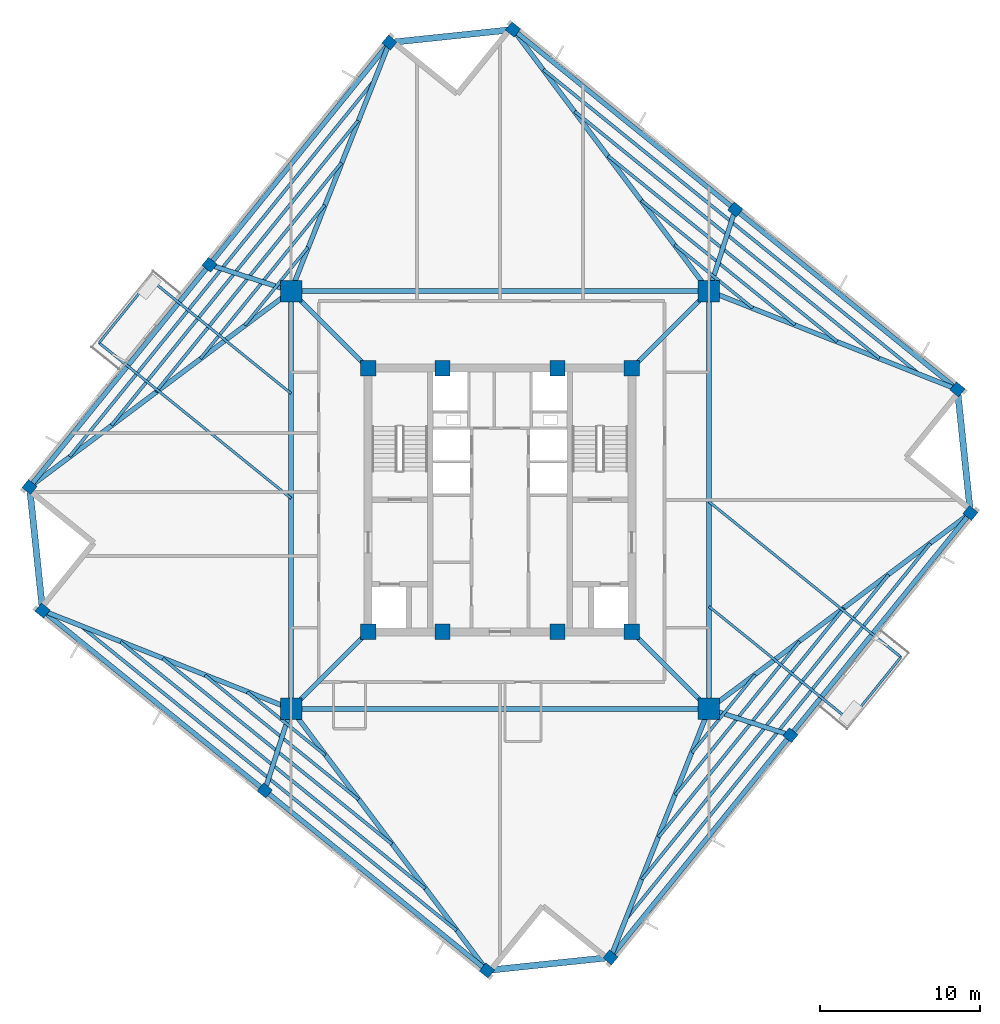
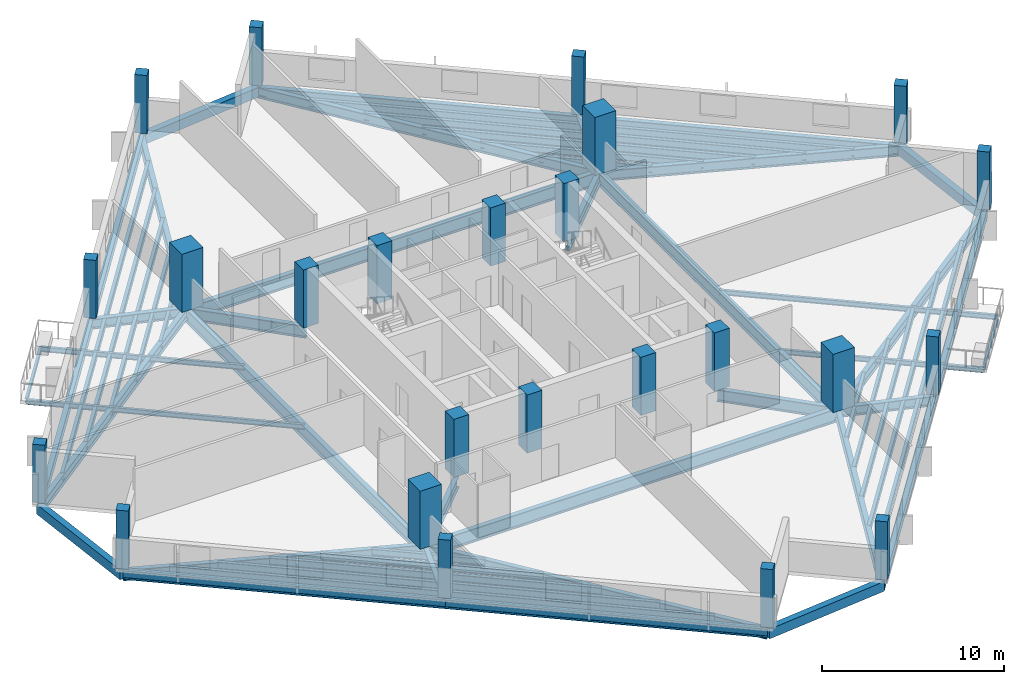
# One storey, part 1 of 9: 58 beams, 24 columns.
"""IFC4 building model written with IfcOpenShell, lengths in metres."""

from ifc_helpers import new_model, si_unit, direction, frame, origin, origin_2d, place, context, subcontext, project, spatial, rectangle, i_section, extrude, source, transform, mapped, material, material_profile, profile_set, type_object, element, save


model = new_model("IFC4")

# Units and contexts
model_context = context("Model", 3, precision=1e-05, world=origin(), true_north=direction((0.0, 1.0)))
body_context = subcontext(model_context, "Body", "Model", "MODEL_VIEW")
ifc_project = project(units=[si_unit("LENGTHUNIT", "METRE"), si_unit("AREAUNIT", "SQUARE_METRE"), si_unit("VOLUMEUNIT", "CUBIC_METRE"), si_unit("PLANEANGLEUNIT", "RADIAN"), si_unit("MASSUNIT", "GRAM", prefix="KILO"), si_unit("THERMODYNAMICTEMPERATUREUNIT", "KELVIN")], contexts=[model_context])

# Site, building, storey
site_placement = place(None, origin())
site = spatial("IfcSite", under=ifc_project, at=site_placement, CompositionType="ELEMENT")
building_placement = place(site_placement, origin())
building = spatial("IfcBuilding", under=site, at=building_placement, Name="Kosmvard Interchange Tower", CompositionType="ELEMENT")
storey_placement = place(building_placement, frame((0.0, 0.0, 256.300048828125)))
storey = spatial("IfcBuildingStorey", under=building, at=storey_placement, Name="L62", CompositionType="ELEMENT", Elevation=256.300048828125)

# Columns
ifc_material_1 = material(Name="Concrete C60/75", Category="concrete")
ifc_material_profile_1 = material_profile(ifc_material_1, rectangle(XDim=0.949951171875, YDim=0.949951171875, at=origin_2d()), Name="CP 950x950")
ifc_profile_set_1 = profile_set([ifc_material_profile_1], Name="Concrete C60/75")
column_type_1 = type_object("IfcColumnType", Name="Core Boundary Pilaster 950x950 C60/75", PredefinedType="PILASTER", material=ifc_profile_set_1)
shared_shape_1 = source(origin(), body_context, "Body", "SweptSolid", [
    extrude(rectangle(XDim=0.949951171875, YDim=0.949951171875, at=origin_2d()), origin(), (0.0, 0.0, 1.0), 3.89990234375),
])
for number, where, z_axis, x_axis, name in (
    (1, (-8.25, -8.25, 0.0), (0.0, 0.0, 1.0), (1.0, 0.0, 0.0), "L62 Core Pilaster CP1"),
    (2, (8.25, -8.25, 0.0), (0.0, 0.0, 1.0), (1.0, 0.0, 0.0), "L62 Core Pilaster CP2"),
    (3, (8.25, 8.25, 0.0), (0.0, 0.0, 1.0), (1.0, 0.0, 0.0), "L62 Core Pilaster CP3"),
    (4, (-8.25, 8.25, 0.0), (0.0, 0.0, 1.0), (1.0, 0.0, 0.0), "L62 Core Pilaster CP4"),
    (5, (-3.60009765625, -8.25, 0.0), (0.0, 0.0, 1.0), (1.0, 0.0, 0.0), "L62 Core Pilaster CP5"),
    (6, (3.60009765625, -8.25, 0.0), (0.0, 0.0, 1.0), (1.0, 0.0, 0.0), "L62 Core Pilaster CP6"),
    (7, (-3.60009765625, 8.25, 0.0), (0.0, 0.0, 1.0), (1.0, 0.0, 0.0), "L62 Core Pilaster CP7"),
    (8, (3.60009765625, 8.25, 0.0), (0.0, 0.0, 1.0), (1.0, 0.0, 0.0), "L62 Core Pilaster CP8"),
):
    element("IfcColumn", number, at=place(storey_placement, frame(where, z_axis=z_axis, x_axis=x_axis)), inside=storey, type_object=column_type_1, Name=name, PredefinedType="PILASTER", context=body_context, shape_type="MappedRepresentation", body=[
        mapped(shared_shape_1, transform((0.0, 0.0, 0.0), scale=1.0)),
    ])
ifc_material_profile_2 = material_profile(ifc_material_1, rectangle(XDim=1.35009765625, YDim=1.35009765625, at=origin_2d()), Name="MC 1350x1350")
ifc_profile_set_2 = profile_set([ifc_material_profile_2], Name="Concrete C60/75")
column_type_2 = type_object("IfcColumnType", Name="Composite Mega-Column 1350x1350 C60/75", PredefinedType="COLUMN", material=ifc_profile_set_2)
shared_shape_2 = source(origin(), body_context, "Body", "SweptSolid", [
    extrude(rectangle(XDim=1.35009765625, YDim=1.35009765625, at=origin_2d()), origin(), (0.0, 0.0, 1.0), 3.89990234375),
])
for number, where, z_axis, x_axis, name in (
    (9, (-13.0810546875, -13.0810546875, 0.0), (0.0, 0.0, 1.0), (1.0, 0.0, 0.0), "L62 Corner Mega-Column MC1"),
    (10, (13.0810546875, -13.0810546875, 0.0), (0.0, 0.0, 1.0), (1.0, 0.0, 0.0), "L62 Corner Mega-Column MC2"),
    (11, (13.0810546875, 13.0810546875, 0.0), (0.0, 0.0, 1.0), (1.0, 0.0, 0.0), "L62 Corner Mega-Column MC3"),
    (12, (-13.0810546875, 13.0810546875, 0.0), (0.0, 0.0, 1.0), (1.0, 0.0, 0.0), "L62 Corner Mega-Column MC4"),
):
    element("IfcColumn", number, at=place(storey_placement, frame(where, z_axis=z_axis, x_axis=x_axis)), inside=storey, type_object=column_type_2, Name=name, PredefinedType="COLUMN", context=body_context, shape_type="MappedRepresentation", body=[
        mapped(shared_shape_2, transform((0.0, 0.0, 0.0), scale=1.0)),
    ])
ifc_material_2 = material(Name="Concrete C50/60", Category="concrete")
ifc_material_profile_3 = material_profile(ifc_material_2, rectangle(XDim=0.64990234375, YDim=0.699951171875, at=origin_2d()), Name="TC 700x650")
ifc_profile_set_3 = profile_set([ifc_material_profile_3], Name="Concrete C50/60")
column_type_3 = type_object("IfcColumnType", Name="Zone 4 Perimeter Pier Column 700x650 C50/60", PredefinedType="COLUMN", material=ifc_profile_set_3)
shared_shape_3 = source(origin(), body_context, "Body", "SweptSolid", [
    extrude(rectangle(XDim=0.64990234375, YDim=0.699951171875, at=origin_2d()), origin(), (0.0, 0.0, 1.0), 3.89990234375),
])
for number, where, z_axis, x_axis, name in (
    (13, (6.92041015625, -28.636962890625, 0.0), (0.0, 0.0, 1.0), (0.62932039105, 0.777145961457, 0.0), "L62 Perimeter Pier Column TC-S1"),
    (14, (18.185302734375, -14.72607421875, 0.0), (0.0, 0.0, 1.0), (0.62932039105, 0.777145961457, 0.0), "L62 Perimeter Pier Column TC-S2"),
    (15, (29.449951171875, -0.815185546875, 0.0), (0.0, 0.0, 1.0), (0.62932039105, 0.777145961457, 0.0), "L62 Perimeter Pier Column TC-S3"),
    (16, (28.636962890625, 6.92041015625, 0.0), (0.0, 0.0, 1.0), (0.62932039105, 0.777145961457, 0.0), "L62 Perimeter Pier Column TC-E1"),
    (17, (14.72607421875, 18.185302734375, 0.0), (0.0, 0.0, 1.0), (0.62932039105, 0.777145961457, 0.0), "L62 Perimeter Pier Column TC-E2"),
    (18, (0.815185546875, 29.449951171875, 0.0), (0.0, 0.0, 1.0), (0.62932039105, 0.777145961457, 0.0), "L62 Perimeter Pier Column TC-E3"),
    (19, (-6.92041015625, 28.636962890625, 0.0), (0.0, 0.0, 1.0), (0.62932039105, 0.777145961457, 0.0), "L62 Perimeter Pier Column TC-N1"),
    (20, (-18.185302734375, 14.72607421875, 0.0), (0.0, 0.0, 1.0), (0.62932039105, 0.777145961457, 0.0), "L62 Perimeter Pier Column TC-N2"),
    (21, (-29.449951171875, 0.815185546875, 0.0), (0.0, 0.0, 1.0), (0.62932039105, 0.777145961457, 0.0), "L62 Perimeter Pier Column TC-N3"),
    (22, (-28.636962890625, -6.92041015625, 0.0), (0.0, 0.0, 1.0), (0.62932039105, 0.777145961457, 0.0), "L62 Perimeter Pier Column TC-W1"),
    (23, (-14.72607421875, -18.185302734375, 0.0), (0.0, 0.0, 1.0), (0.62932039105, 0.777145961457, 0.0), "L62 Perimeter Pier Column TC-W2"),
    (24, (-0.815185546875, -29.449951171875, 0.0), (0.0, 0.0, 1.0), (0.62932039105, 0.777145961457, 0.0), "L62 Perimeter Pier Column TC-W3"),
):
    element("IfcColumn", number, at=place(storey_placement, frame(where, z_axis=z_axis, x_axis=x_axis)), inside=storey, type_object=column_type_3, Name=name, PredefinedType="COLUMN", context=body_context, shape_type="MappedRepresentation", body=[
        mapped(shared_shape_3, transform((0.0, 0.0, 0.0), scale=1.0)),
    ])

# Beams
ifc_material_3 = material(Name="Steel S355", Category="steel")
ifc_material_profile_4 = material_profile(ifc_material_3, i_section(OverallWidth=0.14990234375, OverallDepth=0.300048828125, WebThickness=0.007080078125, FlangeThickness=0.0107421875, FilletRadius=0.014892578125, at=origin_2d()), Name="IPE 300")
ifc_profile_set_4 = profile_set([ifc_material_profile_4], Name="Steel S355")
beam_type_1 = type_object("IfcBeamType", Name="Balcony Edge Header Joist IPE 300 S355", PredefinedType="JOIST", material=ifc_profile_set_4)
shared_shape_4 = source(origin(), body_context, "Body", "SweptSolid", [
    extrude(i_section(OverallWidth=0.14990234375, OverallDepth=0.300048828125, WebThickness=0.007080078125, FlangeThickness=0.0107421875, FilletRadius=0.014892578125, at=origin_2d()), origin(), (0.0, 0.0, 1.0), 5.099853515625),
])
for number, where, z_axis, x_axis, name in (
    (25, (-21.89208984375, 13.80322265625, -0.39013671875), (-0.629319408179, -0.777146757369, 0.0), (0.777146757369, -0.629319408179, 0.0), "BM-L62-BJH1"),
    (26, (21.89208984375, -13.80322265625, -0.39013671875), (0.629319408179, 0.777146757369, 0.0), (-0.777146757369, 0.629319408179, 0.0), "BM-L62-BJH2"),
):
    element("IfcBeam", number, at=place(storey_placement, frame(where, z_axis=z_axis, x_axis=x_axis)), inside=storey, type_object=beam_type_1, Name=name, PredefinedType="JOIST", context=body_context, shape_type="MappedRepresentation", body=[
        mapped(shared_shape_4, transform((0.0, 0.0, 0.0), scale=1.0)),
    ])
ifc_material_profile_5 = material_profile(ifc_material_3, i_section(OverallWidth=0.300048828125, OverallDepth=0.800048828125, WebThickness=0.017578125, FlangeThickness=0.032958984375, FilletRadius=0.027099609375, at=origin_2d()), Name="HEB 800")
ifc_profile_set_5 = profile_set([ifc_material_profile_5], Name="Steel S355")
beam_type_2 = type_object("IfcBeamType", Name="Primary Mega-Frame Girder HEB 800 S355", PredefinedType="BEAM", material=ifc_profile_set_5)
shared_shape_5 = source(origin(), body_context, "Body", "SweptSolid", [
    extrude(i_section(OverallWidth=0.300048828125, OverallDepth=0.800048828125, WebThickness=0.017578125, FlangeThickness=0.032958984375, FilletRadius=0.027099609375, at=origin_2d()), origin(), (0.0, 0.0, 1.0), 6.83203125),
])
for number, where, z_axis, x_axis, name in (
    (27, (-8.25, -8.25, -0.64013671875), (-0.707106781187, -0.707106781187, 0.0), (0.707106781187, -0.707106781187, 0.0), "L62 Radial Mega-Frame Girder 1"),
    (28, (8.25, -8.25, -0.64013671875), (0.707106781187, -0.707106781187, 0.0), (0.707106781187, 0.707106781187, 0.0), "L62 Radial Mega-Frame Girder 2"),
    (29, (8.25, 8.25, -0.64013671875), (0.707106781187, 0.707106781187, 0.0), (-0.707106781187, 0.707106781187, 0.0), "L62 Radial Mega-Frame Girder 3"),
    (30, (-8.25, 8.25, -0.64013671875), (-0.707106781187, 0.707106781187, 0.0), (-0.707106781187, -0.707106781187, 0.0), "L62 Radial Mega-Frame Girder 4"),
):
    element("IfcBeam", number, at=place(storey_placement, frame(where, z_axis=z_axis, x_axis=x_axis)), inside=storey, type_object=beam_type_2, Name=name, PredefinedType="BEAM", context=body_context, shape_type="MappedRepresentation", body=[
        mapped(shared_shape_5, transform((0.0, 0.0, 0.0), scale=1.0)),
    ])
ifc_material_profile_6 = material_profile(ifc_material_3, i_section(OverallWidth=0.300048828125, OverallDepth=0.89990234375, WebThickness=0.0185546875, FlangeThickness=0.034912109375, FilletRadius=0.030029296875, at=origin_2d()), Name="HEB 900")
ifc_profile_set_6 = profile_set([ifc_material_profile_6], Name="Steel S355")
beam_type_3 = type_object("IfcBeamType", Name="Mega-Column Ring Girder HEB 900 S355", PredefinedType="BEAM", material=ifc_profile_set_6)
shared_shape_6 = source(origin(), body_context, "Body", "SweptSolid", [
    extrude(i_section(OverallWidth=0.300048828125, OverallDepth=0.89990234375, WebThickness=0.0185546875, FlangeThickness=0.034912109375, FilletRadius=0.030029296875, at=origin_2d()), origin(), (0.0, 0.0, 1.0), 26.162109375),
])
for number, where, z_axis, x_axis, name in (
    (31, (-13.0810546875, -13.0810546875, -0.68994140625), (1.0, 0.0, 0.0), (0.0, 1.0, 0.0), "L62 Mega-Column Ring Girder 1"),
    (32, (13.0810546875, -13.0810546875, -0.68994140625), (0.0, 1.0, 0.0), (-1.0, 0.0, 0.0), "L62 Mega-Column Ring Girder 2"),
    (33, (13.0810546875, 13.0810546875, -0.68994140625), (-1.0, 0.0, 0.0), (0.0, -1.0, 0.0), "L62 Mega-Column Ring Girder 3"),
    (34, (-13.0810546875, 13.0810546875, -0.68994140625), (0.0, -1.0, 0.0), (1.0, 0.0, 0.0), "L62 Mega-Column Ring Girder 4"),
):
    element("IfcBeam", number, at=place(storey_placement, frame(where, z_axis=z_axis, x_axis=x_axis)), inside=storey, type_object=beam_type_3, Name=name, PredefinedType="BEAM", context=body_context, shape_type="MappedRepresentation", body=[
        mapped(shared_shape_6, transform((0.0, 0.0, 0.0), scale=1.0)),
    ])
ifc_material_profile_7 = material_profile(ifc_material_3, i_section(OverallWidth=0.300048828125, OverallDepth=0.60009765625, WebThickness=0.015380859375, FlangeThickness=0.030029296875, FilletRadius=0.027099609375, at=origin_2d()), Name="HEB 600")
ifc_profile_set_7 = profile_set([ifc_material_profile_7], Name="Steel S355")
beam_type_4 = type_object("IfcBeamType", Name="Perimeter Tie Girder HEB 600 S355", PredefinedType="BEAM", material=ifc_profile_set_7)
shared_shape_7 = source(origin(), body_context, "Body", "SweptSolid", [
    extrude(i_section(OverallWidth=0.300048828125, OverallDepth=0.60009765625, WebThickness=0.015380859375, FlangeThickness=0.030029296875, FilletRadius=0.027099609375, at=origin_2d()), origin(), (0.0, 0.0, 1.0), 17.89990234375),
])
for number, where, z_axis, x_axis, name in (
    (35, (6.92041015625, -28.636962890625, -0.5400390625), (0.629322990554, 0.777143856413, 0.0), (-0.777143856413, 0.629322990554, 0.0), "BM-L62-PR01"),
    (36, (18.185302734375, -14.72607421875, -0.5400390625), (0.629314753061, 0.777150526976, 0.0), (-0.777150526976, 0.629314753061, 0.0), "BM-L62-PR02"),
    (37, (28.636962890625, 6.92041015625, -0.5400390625), (-0.777143856413, 0.629322990554, 0.0), (-0.629322990554, -0.777143856413, 0.0), "BM-L62-PR04"),
    (38, (14.72607421875, 18.185302734375, -0.5400390625), (-0.777150526976, 0.629314753061, 0.0), (-0.629314753061, -0.777150526976, 0.0), "BM-L62-PR05"),
    (39, (-6.92041015625, 28.636962890625, -0.5400390625), (-0.629322990554, -0.777143856413, 0.0), (0.777143856413, -0.629322990554, 0.0), "BM-L62-PR07"),
    (40, (-18.185302734375, 14.72607421875, -0.5400390625), (-0.629314753061, -0.777150526976, 0.0), (0.777150526976, -0.629314753061, 0.0), "BM-L62-PR08"),
    (41, (-28.636962890625, -6.92041015625, -0.5400390625), (0.777143856413, -0.629322990554, 0.0), (0.629322990554, 0.777143856413, 0.0), "BM-L62-PR10"),
    (42, (-14.72607421875, -18.185302734375, -0.5400390625), (0.777150526976, -0.629314753061, 0.0), (0.629314753061, 0.777150526976, 0.0), "BM-L62-PR11"),
):
    element("IfcBeam", number, at=place(storey_placement, frame(where, z_axis=z_axis, x_axis=x_axis)), inside=storey, type_object=beam_type_4, Name=name, PredefinedType="BEAM", context=body_context, shape_type="MappedRepresentation", body=[
        mapped(shared_shape_7, transform((0.0, 0.0, 0.0), scale=1.0)),
    ])
ifc_material_profile_8 = material_profile(ifc_material_3, i_section(OverallWidth=0.300048828125, OverallDepth=0.699951171875, WebThickness=0.01708984375, FlangeThickness=0.031982421875, FilletRadius=0.027099609375, at=origin_2d()), Name="HEB 700")
ifc_profile_set_8 = profile_set([ifc_material_profile_8], Name="Steel S355")
beam_type_5 = type_object("IfcBeamType", Name="Primary Floor Girder HEB 700 S355", PredefinedType="BEAM", material=ifc_profile_set_8)
shared_shape_8 = source(origin(), body_context, "Body", "SweptSolid", [
    extrude(i_section(OverallWidth=0.300048828125, OverallDepth=0.699951171875, WebThickness=0.01708984375, FlangeThickness=0.031982421875, FilletRadius=0.027099609375, at=origin_2d()), origin(), (0.0, 0.0, 1.0), 16.7314453125),
])
for number, where, z_axis, x_axis, name in (
    (43, (13.0810546875, -13.0810546875, -0.590087890625), (-0.368208500474, -0.929743244223, 0.0), (0.929743244223, -0.368208500474, 0.0), "BM-L62-RD01"),
    (44, (13.0810546875, 13.0810546875, -0.590087890625), (0.929743244223, -0.368208500474, 0.0), (0.368208500474, 0.929743244223, 0.0), "BM-L62-RD04"),
    (45, (-13.0810546875, 13.0810546875, -0.590087890625), (0.368208500474, 0.929743244223, 0.0), (-0.929743244223, 0.368208500474, 0.0), "BM-L62-RD07"),
    (46, (-13.0810546875, -13.0810546875, -0.590087890625), (-0.929743244223, 0.368208500474, 0.0), (-0.368208500474, -0.929743244223, 0.0), "BM-L62-RD10"),
):
    element("IfcBeam", number, at=place(storey_placement, frame(where, z_axis=z_axis, x_axis=x_axis)), inside=storey, type_object=beam_type_5, Name=name, PredefinedType="BEAM", context=body_context, shape_type="MappedRepresentation", body=[
        mapped(shared_shape_8, transform((0.0, 0.0, 0.0), scale=1.0)),
    ])
ifc_material_profile_9 = material_profile(ifc_material_3, i_section(OverallWidth=0.300048828125, OverallDepth=0.64990234375, WebThickness=0.01611328125, FlangeThickness=0.031005859375, FilletRadius=0.027099609375, at=origin_2d()), Name="HEB 650")
ifc_profile_set_9 = profile_set([ifc_material_profile_9], Name="Steel S355")
beam_type_6 = type_object("IfcBeamType", Name="Primary Floor Girder HEB 650 S355", PredefinedType="BEAM", material=ifc_profile_set_9)
shared_shape_9 = source(origin(), body_context, "Body", "SweptSolid", [
    extrude(i_section(OverallWidth=0.300048828125, OverallDepth=0.64990234375, WebThickness=0.01611328125, FlangeThickness=0.031005859375, FilletRadius=0.027099609375, at=origin_2d()), origin(), (0.0, 0.0, 1.0), 5.36279296875),
])
for number, where, z_axis, x_axis, name in (
    (47, (13.0810546875, -13.0810546875, -0.56494140625), (0.951790966135, -0.306747382686, 0.0), (0.306747382686, 0.951790966135, 0.0), "BM-L62-RD02"),
    (48, (13.0810546875, 13.0810546875, -0.56494140625), (0.306747382686, 0.951790966135, 0.0), (-0.951790966135, 0.306747382686, 0.0), "BM-L62-RD05"),
    (49, (-13.0810546875, 13.0810546875, -0.56494140625), (-0.951790966135, 0.306747382686, 0.0), (-0.306747382686, -0.951790966135, 0.0), "BM-L62-RD08"),
    (50, (-13.0810546875, -13.0810546875, -0.56494140625), (-0.306747382686, -0.951790966135, 0.0), (0.951790966135, -0.306747382686, 0.0), "BM-L62-RD11"),
):
    element("IfcBeam", number, at=place(storey_placement, frame(where, z_axis=z_axis, x_axis=x_axis)), inside=storey, type_object=beam_type_6, Name=name, PredefinedType="BEAM", context=body_context, shape_type="MappedRepresentation", body=[
        mapped(shared_shape_9, transform((0.0, 0.0, 0.0), scale=1.0)),
    ])
ifc_material_4 = material(Name="Precast concrete C45/55", Category="concrete")
ifc_material_profile_10 = material_profile(ifc_material_4, rectangle(XDim=0.39990234375, YDim=0.64990234375, at=origin_2d()), Name="SL 400x650")
ifc_profile_set_10 = profile_set([ifc_material_profile_10], Name="Precast concrete C45/55")
beam_type_7 = type_object("IfcBeamType", Name="Precast Spandrel Lintel 400x650 C45/55", PredefinedType="LINTEL", material=ifc_profile_set_10)
shared_shape_10 = source(origin(), body_context, "Body", "SweptSolid", [
    extrude(rectangle(XDim=0.39990234375, YDim=0.64990234375, at=origin_2d()), origin(), (0.0, 0.0, 1.0), 7.7783203125),
])
for number, where, z_axis, x_axis, name in (
    (51, (29.449951171875, -0.815185546875, -0.56494140625), (-0.104521394525, 0.994522638298, 0.0), (-0.994522638298, -0.104521394525, 0.0), "BM-L62-SL1"),
    (52, (0.815185546875, 29.449951171875, -0.56494140625), (-0.994522638298, -0.104521394525, 0.0), (0.104521394525, -0.994522638298, 0.0), "BM-L62-SL2"),
    (53, (-29.449951171875, 0.815185546875, -0.56494140625), (0.104521394525, -0.994522638298, 0.0), (0.994522638298, 0.104521394525, 0.0), "BM-L62-SL3"),
    (54, (-0.815185546875, -29.449951171875, -0.56494140625), (0.994522638298, 0.104521394525, 0.0), (-0.104521394525, 0.994522638298, 0.0), "BM-L62-SL4"),
):
    element("IfcBeam", number, at=place(storey_placement, frame(where, z_axis=z_axis, x_axis=x_axis)), inside=storey, type_object=beam_type_7, Name=name, PredefinedType="LINTEL", context=body_context, shape_type="MappedRepresentation", body=[
        mapped(shared_shape_10, transform((0.0, 0.0, 0.0), scale=1.0)),
    ])
shared_shape_11 = source(origin(), body_context, "Body", "SweptSolid", [
    extrude(i_section(OverallWidth=0.300048828125, OverallDepth=0.699951171875, WebThickness=0.01708984375, FlangeThickness=0.031982421875, FilletRadius=0.027099609375, at=origin_2d()), origin(), (0.0, 0.0, 1.0), 20.45458984375),
])
for number, where, z_axis, x_axis, name in (
    (55, (13.0810546875, -13.0810546875, -0.590087890625), (0.800253443036, 0.599661927179, 0.0), (-0.599661927179, 0.800253443036, 0.0), "BM-L62-RD03"),
    (56, (13.0810546875, 13.0810546875, -0.590087890625), (-0.599661927179, 0.800253443036, 0.0), (-0.800253443036, -0.599661927179, 0.0), "BM-L62-RD06"),
    (57, (-13.0810546875, 13.0810546875, -0.590087890625), (-0.800253443036, -0.599661927179, 0.0), (0.599661927179, -0.800253443036, 0.0), "BM-L62-RD09"),
    (58, (-13.0810546875, -13.0810546875, -0.590087890625), (0.599661927179, -0.800253443036, 0.0), (0.800253443036, 0.599661927179, 0.0), "BM-L62-RD12"),
):
    element("IfcBeam", number, at=place(storey_placement, frame(where, z_axis=z_axis, x_axis=x_axis)), inside=storey, type_object=beam_type_5, Name=name, PredefinedType="BEAM", context=body_context, shape_type="MappedRepresentation", body=[
        mapped(shared_shape_11, transform((0.0, 0.0, 0.0), scale=1.0)),
    ])
ifc_material_profile_11 = material_profile(ifc_material_3, i_section(OverallWidth=0.18994140625, OverallDepth=0.449951171875, WebThickness=0.009521484375, FlangeThickness=0.0146484375, FilletRadius=0.02099609375, at=origin_2d()), Name="IPE 450")
ifc_profile_set_11 = profile_set([ifc_material_profile_11], Name="Steel S355")
beam_type_8 = type_object("IfcBeamType", Name="Mid-Rise Floor Joist IPE 450 S355", PredefinedType="JOIST", material=ifc_profile_set_11)
shared_shape_12 = source(origin(), body_context, "Body", "SweptSolid", [
    extrude(i_section(OverallWidth=0.18994140625, OverallDepth=0.449951171875, WebThickness=0.009521484375, FlangeThickness=0.0146484375, FilletRadius=0.02099609375, at=origin_2d()), origin(), (0.0, 0.0, 1.0), 6.283935546875),
])
for number, where, z_axis, x_axis, name in (
    (59, (12.0224609375, -15.81884765625, -0.465087890625), (0.629317809561, 0.777148051898, 0.0), (-0.777148051898, 0.629317809561, 0.0), "BM-L62-FJ01"),
    (60, (15.81884765625, 12.0224609375, -0.465087890625), (-0.777148051898, 0.629317809561, 0.0), (-0.629317809561, -0.777148051898, 0.0), "BM-L62-FJ06"),
    (61, (-12.0224609375, 15.81884765625, -0.465087890625), (-0.629317809561, -0.777148051898, 0.0), (0.777148051898, -0.629317809561, 0.0), "BM-L62-FJ11"),
    (62, (-15.81884765625, -12.0224609375, -0.465087890625), (0.777148051898, -0.629317809561, 0.0), (0.629317809561, 0.777148051898, 0.0), "BM-L62-FJ16"),
):
    element("IfcBeam", number, at=place(storey_placement, frame(where, z_axis=z_axis, x_axis=x_axis)), inside=storey, type_object=beam_type_8, Name=name, PredefinedType="JOIST", context=body_context, shape_type="MappedRepresentation", body=[
        mapped(shared_shape_12, transform((0.0, 0.0, 0.0), scale=1.0)),
    ])
shared_shape_13 = source(origin(), body_context, "Body", "SweptSolid", [
    extrude(i_section(OverallWidth=0.18994140625, OverallDepth=0.449951171875, WebThickness=0.009521484375, FlangeThickness=0.0146484375, FilletRadius=0.02099609375, at=origin_2d()), origin(), (0.0, 0.0, 1.0), 12.369873046875),
])
for number, where, z_axis, x_axis, name in (
    (63, (10.97509765625, -18.46337890625, -0.465087890625), (0.629319722443, 0.777146502883, 0.0), (-0.777146502883, 0.629319722443, 0.0), "BM-L62-FJ02"),
    (64, (18.46337890625, 10.97509765625, -0.465087890625), (-0.777146502883, 0.629319722443, 0.0), (-0.629319722443, -0.777146502883, 0.0), "BM-L62-FJ07"),
    (65, (-10.97509765625, 18.46337890625, -0.465087890625), (-0.629319722443, -0.777146502883, 0.0), (0.777146502883, -0.629319722443, 0.0), "BM-L62-FJ12"),
    (66, (-18.46337890625, -10.97509765625, -0.465087890625), (0.777146502883, -0.629319722443, 0.0), (0.629319722443, 0.777146502883, 0.0), "BM-L62-FJ17"),
):
    element("IfcBeam", number, at=place(storey_placement, frame(where, z_axis=z_axis, x_axis=x_axis)), inside=storey, type_object=beam_type_8, Name=name, PredefinedType="JOIST", context=body_context, shape_type="MappedRepresentation", body=[
        mapped(shared_shape_13, transform((0.0, 0.0, 0.0), scale=1.0)),
    ])
ifc_material_profile_12 = material_profile(ifc_material_3, i_section(OverallWidth=0.199951171875, OverallDepth=0.5, WebThickness=0.01025390625, FlangeThickness=0.01611328125, FilletRadius=0.02099609375, at=origin_2d()), Name="IPE 500")
ifc_profile_set_12 = profile_set([ifc_material_profile_12], Name="Steel S355")
beam_type_9 = type_object("IfcBeamType", Name="Standard Floor Joist IPE 500 S355", PredefinedType="JOIST", material=ifc_profile_set_12)
shared_shape_14 = source(origin(), body_context, "Body", "SweptSolid", [
    extrude(i_section(OverallWidth=0.199951171875, OverallDepth=0.5, WebThickness=0.01025390625, FlangeThickness=0.01611328125, FilletRadius=0.02099609375, at=origin_2d()), origin(), (0.0, 0.0, 1.0), 18.4560546875),
])
for number, where, z_axis, x_axis, name in (
    (67, (9.927734375, -21.10791015625, -0.489990234375), (0.629320373744, 0.777145975471, 0.0), (-0.777145975471, 0.629320373744, 0.0), "BM-L62-FJ03"),
    (68, (21.10791015625, 9.927734375, -0.489990234375), (-0.777145975471, 0.629320373744, 0.0), (-0.629320373744, -0.777145975471, 0.0), "BM-L62-FJ08"),
    (69, (-9.927734375, 21.10791015625, -0.489990234375), (-0.629320373744, -0.777145975471, 0.0), (0.777145975471, -0.629320373744, 0.0), "BM-L62-FJ13"),
    (70, (-21.10791015625, -9.927734375, -0.489990234375), (0.777145975471, -0.629320373744, 0.0), (0.629320373744, 0.777145975471, 0.0), "BM-L62-FJ18"),
):
    element("IfcBeam", number, at=place(storey_placement, frame(where, z_axis=z_axis, x_axis=x_axis)), inside=storey, type_object=beam_type_9, Name=name, PredefinedType="JOIST", context=body_context, shape_type="MappedRepresentation", body=[
        mapped(shared_shape_14, transform((0.0, 0.0, 0.0), scale=1.0)),
    ])
shared_shape_15 = source(origin(), body_context, "Body", "SweptSolid", [
    extrude(i_section(OverallWidth=0.199951171875, OverallDepth=0.5, WebThickness=0.01025390625, FlangeThickness=0.01611328125, FilletRadius=0.02099609375, at=origin_2d()), origin(), (0.0, 0.0, 1.0), 24.5419921875),
])
for number, where, z_axis, x_axis, name in (
    (71, (8.880615234375, -23.75244140625, -0.489990234375), (0.629314693907, 0.777150574878, 0.0), (-0.777150574878, 0.629314693907, 0.0), "BM-L62-FJ04"),
    (72, (23.75244140625, 8.880615234375, -0.489990234375), (-0.777150574878, 0.629314693907, 0.0), (-0.629314693907, -0.777150574878, 0.0), "BM-L62-FJ09"),
    (73, (-8.880615234375, 23.75244140625, -0.489990234375), (-0.629314693907, -0.777150574878, 0.0), (0.777150574878, -0.629314693907, 0.0), "BM-L62-FJ14"),
    (74, (-23.75244140625, -8.880615234375, -0.489990234375), (0.777150574878, -0.629314693907, 0.0), (0.629314693907, 0.777150574878, 0.0), "BM-L62-FJ19"),
):
    element("IfcBeam", number, at=place(storey_placement, frame(where, z_axis=z_axis, x_axis=x_axis)), inside=storey, type_object=beam_type_9, Name=name, PredefinedType="JOIST", context=body_context, shape_type="MappedRepresentation", body=[
        mapped(shared_shape_15, transform((0.0, 0.0, 0.0), scale=1.0)),
    ])
shared_shape_16 = source(origin(), body_context, "Body", "SweptSolid", [
    extrude(i_section(OverallWidth=0.199951171875, OverallDepth=0.5, WebThickness=0.01025390625, FlangeThickness=0.01611328125, FilletRadius=0.02099609375, at=origin_2d()), origin(), (0.0, 0.0, 1.0), 30.27001953125),
])
for number, where, z_axis, x_axis, name in (
    (75, (7.894775390625, -26.241455078125, -0.489990234375), (0.629321655027, 0.777144937907, 0.0), (-0.777144937907, 0.629321655027, 0.0), "BM-L62-FJ05"),
    (76, (26.241455078125, 7.894775390625, -0.489990234375), (-0.777144937907, 0.629321655027, 0.0), (-0.629321655027, -0.777144937907, 0.0), "BM-L62-FJ10"),
    (77, (-7.894775390625, 26.241455078125, -0.489990234375), (-0.629321655027, -0.777144937907, 0.0), (0.777144937907, -0.629321655027, 0.0), "BM-L62-FJ15"),
    (78, (-26.241455078125, -7.894775390625, -0.489990234375), (0.777144937907, -0.629321655027, 0.0), (0.629321655027, 0.777144937907, 0.0), "BM-L62-FJ20"),
):
    element("IfcBeam", number, at=place(storey_placement, frame(where, z_axis=z_axis, x_axis=x_axis)), inside=storey, type_object=beam_type_9, Name=name, PredefinedType="JOIST", context=body_context, shape_type="MappedRepresentation", body=[
        mapped(shared_shape_16, transform((0.0, 0.0, 0.0), scale=1.0)),
    ])
ifc_material_profile_13 = material_profile(ifc_material_3, i_section(OverallWidth=0.159912109375, OverallDepth=0.330078125, WebThickness=0.007568359375, FlangeThickness=0.011474609375, FilletRadius=0.01806640625, at=origin_2d()), Name="IPE 330")
ifc_profile_set_13 = profile_set([ifc_material_profile_13], Name="Steel S355")
beam_type_10 = type_object("IfcBeamType", Name="Balcony Cantilever Joist IPE 330 S355", PredefinedType="JOIST", material=ifc_profile_set_13)
shared_shape_17 = source(origin(), body_context, "Body", "SweptSolid", [
    extrude(i_section(OverallWidth=0.159912109375, OverallDepth=0.330078125, WebThickness=0.007568359375, FlangeThickness=0.011474609375, FilletRadius=0.01806640625, at=origin_2d()), origin(), (0.0, 0.0, 1.0), 11.337646484375),
])
for number, where, z_axis, x_axis, name in (
    (79, (-13.0810546875, 6.668212890625, -0.405029296875), (-0.777147075247, 0.629319015631, 0.0), (-0.629319015631, -0.777147075247, 0.0), "BM-L62-BJ1"),
    (80, (13.0810546875, -6.668212890625, -0.405029296875), (0.777147075247, -0.629319015631, 0.0), (0.629319015631, 0.777147075247, 0.0), "BM-L62-BJ2"),
):
    element("IfcBeam", number, at=place(storey_placement, frame(where, z_axis=z_axis, x_axis=x_axis)), inside=storey, type_object=beam_type_10, Name=name, PredefinedType="JOIST", context=body_context, shape_type="MappedRepresentation", body=[
        mapped(shared_shape_17, transform((0.0, 0.0, 0.0), scale=1.0)),
    ])
shared_shape_18 = source(origin(), body_context, "Body", "SweptSolid", [
    extrude(i_section(OverallWidth=0.159912109375, OverallDepth=0.330078125, WebThickness=0.007568359375, FlangeThickness=0.011474609375, FilletRadius=0.01806640625, at=origin_2d()), origin(), (0.0, 0.0, 1.0), 15.467529296875),
])
for number, where, z_axis, x_axis, name in (
    (81, (-13.0810546875, 0.105712890625, -0.405029296875), (-0.777142307458, 0.629324903336, 0.0), (-0.629324903336, -0.777142307458, 0.0), "BM-L62-BJB1"),
    (82, (13.0810546875, -0.105712890625, -0.405029296875), (0.777142307458, -0.629324903336, 0.0), (0.629324903336, 0.777142307458, 0.0), "BM-L62-BJB2"),
):
    element("IfcBeam", number, at=place(storey_placement, frame(where, z_axis=z_axis, x_axis=x_axis)), inside=storey, type_object=beam_type_10, Name=name, PredefinedType="JOIST", context=body_context, shape_type="MappedRepresentation", body=[
        mapped(shared_shape_18, transform((0.0, 0.0, 0.0), scale=1.0)),
    ])

save(model, "model.ifc")
